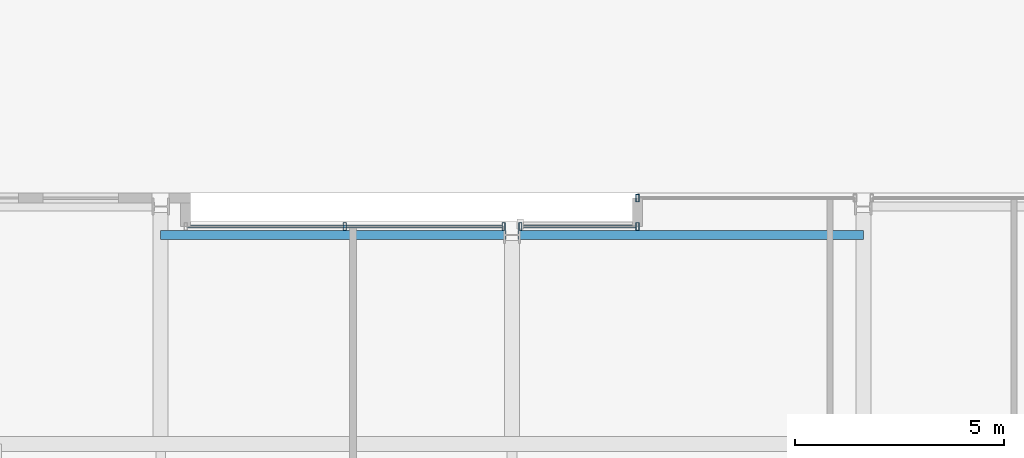
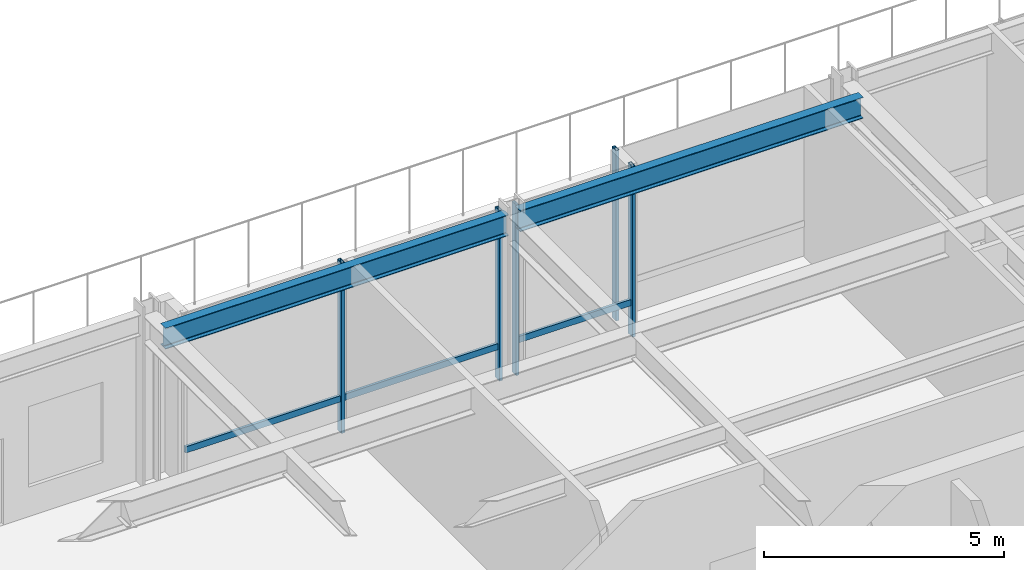
# One storey, part 22 of 32: 7 members, 2 beams, 3 elements without a shape of their own.
"""IFC4 building model written with IfcOpenShell, lengths in metres."""

from ifc_helpers import new_model, si_unit, direction, frame, origin, origin_2d, place, context, subcontext, project, spatial, hollow_rectangle, i_section, extrude, material, layer, layer_set, material_profile, profile_set, type_object, element, aggregate, save


model = new_model("IFC4")

# Units and contexts
model_context = context("Model", 3, precision=1e-05, world=origin(), true_north=direction((0.0, 1.0)))
body_context = subcontext(model_context, "Body", "Model", "MODEL_VIEW")
ifc_project = project(units=[si_unit("LENGTHUNIT", "METRE"), si_unit("AREAUNIT", "SQUARE_METRE"), si_unit("VOLUMEUNIT", "CUBIC_METRE"), si_unit("PLANEANGLEUNIT", "RADIAN"), si_unit("MASSUNIT", "GRAM", prefix="KILO")], contexts=[model_context])

# Site, building, storey
site_placement = place(None, origin())
site = spatial("IfcSite", under=ifc_project, at=site_placement, CompositionType="ELEMENT")
building_placement = place(site_placement, origin())
building = spatial("IfcBuilding", under=site, at=building_placement, Name="Drelvath Grand Hotel", CompositionType="ELEMENT")
storey_placement = place(building_placement, frame((0.0, 0.0, 145.800048828125)))
storey = spatial("IfcBuildingStorey", under=building, at=storey_placement, Name="L37", CompositionType="ELEMENT", Elevation=145.800048828125)

# Curtain wall, member
ifc_material_1 = material(Name="Brushed Pale-Silver Anodised Aluminium Frame", Category="aluminium")
ifc_layer = layer(ifc_material_1, 0.199951171875)
ifc_layer_set = layer_set([ifc_layer], Name="Brushed Pale-Silver Anodised Aluminium Frame")
curtain_wall_type = type_object("IfcCurtainWallType", Name="Stick Curtain Wall CW-04 Brushed Silver Upper-Mid", PredefinedType="NOTDEFINED", material=ifc_layer_set)
curtain_wall_1_placement = place(storey_placement, origin())
curtain_wall_1 = element("IfcCurtainWall", 1, at=curtain_wall_1_placement, inside=storey, type_object=curtain_wall_type, Name="L37 CW-04 Curtain Wall CW04-L37-NM1", PredefinedType="NOTDEFINED")
ifc_material_profile_1 = material_profile(ifc_material_1, hollow_rectangle(XDim=0.06494140625, YDim=0.159912109375, WallThickness=0.00390625, at=origin_2d()), Name="HSS160X65X4")
ifc_profile_set_1 = profile_set([ifc_material_profile_1], Name="Brushed Pale-Silver Anodised Aluminium Frame")
member_type_1 = type_object("IfcMemberType", Name="Curtain Wall Horizontal Transom CW-04 HSS160X65X4", PredefinedType="USERDEFINED", material=ifc_profile_set_1)
member_1_placement = place(storey_placement, frame((-7.760009765625, 48.39990234375, 0.849853515625), z_axis=(1.0, 0.0, 0.0), x_axis=(0.0, 1.0, 0.0)))
member_1 = element("IfcMember", 2, at=member_1_placement, type_object=member_type_1, Name="CW04-L37-NM1 Sill Transom", ObjectType="TRANSOM", PredefinedType="USERDEFINED", context=body_context, shape_type="SweptSolid", body=[
    extrude(hollow_rectangle(XDim=0.06494140625, YDim=0.159912109375, WallThickness=0.00390625, at=origin_2d()), origin(), (0.0, 0.0, 1.0), 7.52001953125),
])

curtain_wall_2_placement = place(storey_placement, origin())
curtain_wall_2 = element("IfcCurtainWall", 3, at=curtain_wall_2_placement, inside=storey, type_object=curtain_wall_type, Name="L37 CW-04 Curtain Wall CW04-L37-NM2", PredefinedType="NOTDEFINED")
member_2_placement = place(storey_placement, frame((0.239990234375, 48.39990234375, 0.849853515625), z_axis=(1.0, 0.0, 0.0), x_axis=(0.0, 1.0, 0.0)))
member_2 = element("IfcMember", 4, at=member_2_placement, type_object=member_type_1, Name="CW04-L37-NM2 Sill Transom", ObjectType="TRANSOM", PredefinedType="USERDEFINED", context=body_context, shape_type="SweptSolid", body=[
    extrude(hollow_rectangle(XDim=0.06494140625, YDim=0.159912109375, WallThickness=0.00390625, at=origin_2d()), origin(), (0.0, 0.0, 1.0), 2.719970703125),
])

# Member
ifc_material_profile_2 = material_profile(ifc_material_1, hollow_rectangle(XDim=0.074951171875, YDim=0.179931640625, WallThickness=0.0048828125, at=origin_2d()), Name="HSS180X75X5")
ifc_profile_set_2 = profile_set([ifc_material_profile_2], Name="Brushed Pale-Silver Anodised Aluminium Frame")
member_type_2 = type_object("IfcMemberType", Name="Curtain Wall Vertical Mullion CW-04 HSS180X75X5", PredefinedType="MULLION", material=ifc_profile_set_2)
member_3_placement = place(storey_placement, frame((-4.0, 48.39990234375, 0.0), z_axis=(0.0, 0.0, 1.0), x_axis=(1.0, 0.0, 0.0)))
member_3 = element("IfcMember", 5, at=member_3_placement, type_object=member_type_2, Name="CW04-L37-NM1 Mullion 2", PredefinedType="MULLION", context=body_context, shape_type="SweptSolid", body=[
    extrude(hollow_rectangle(XDim=0.074951171875, YDim=0.179931640625, WallThickness=0.0048828125, at=origin_2d()), origin(), (0.0, 0.0, 1.0), 4.33984375),
])

member_4_placement = place(storey_placement, frame((-0.2001953125, 48.39990234375, 0.0), z_axis=(0.0, 0.0, 1.0), x_axis=(1.0, 0.0, 0.0)))
member_4 = element("IfcMember", 6, at=member_4_placement, type_object=member_type_2, Name="CW04-L37-NM1 Mullion 3", PredefinedType="MULLION", context=body_context, shape_type="SweptSolid", body=[
    extrude(hollow_rectangle(XDim=0.074951171875, YDim=0.179931640625, WallThickness=0.0048828125, at=origin_2d()), origin(), (0.0, 0.0, 1.0), 4.33984375),
])

aggregate(curtain_wall_1, [member_3, member_4, member_1])

member_5_placement = place(storey_placement, frame((0.2001953125, 48.39990234375, 0.0), z_axis=(0.0, 0.0, 1.0), x_axis=(1.0, 0.0, 0.0)))
member_5 = element("IfcMember", 7, at=member_5_placement, type_object=member_type_2, Name="CW04-L37-NM2 Mullion 1", PredefinedType="MULLION", context=body_context, shape_type="SweptSolid", body=[
    extrude(hollow_rectangle(XDim=0.074951171875, YDim=0.179931640625, WallThickness=0.0048828125, at=origin_2d()), origin(), (0.0, 0.0, 1.0), 4.33984375),
])

member_6_placement = place(storey_placement, frame((3.0, 48.39990234375, 0.0), z_axis=(0.0, 0.0, 1.0), x_axis=(1.0, 0.0, 0.0)))
member_6 = element("IfcMember", 8, at=member_6_placement, type_object=member_type_2, Name="CW04-L37-NM2 Mullion 2", PredefinedType="MULLION", context=body_context, shape_type="SweptSolid", body=[
    extrude(hollow_rectangle(XDim=0.074951171875, YDim=0.179931640625, WallThickness=0.0048828125, at=origin_2d()), origin(), (0.0, 0.0, 1.0), 4.33984375),
])

aggregate(curtain_wall_2, [member_5, member_6, member_2])

# Curtain wall, member
curtain_wall_3_placement = place(storey_placement, origin())
curtain_wall_3 = element("IfcCurtainWall", 9, at=curtain_wall_3_placement, inside=storey, type_object=curtain_wall_type, Name="L37 CW-04 Curtain Wall CW04-L37-NE1", PredefinedType="NOTDEFINED")
member_7_placement = place(storey_placement, frame((3.0, 49.080078125, 0.0), z_axis=(0.0, 0.0, 1.0), x_axis=(1.0, 0.0, 0.0)))
member_7 = element("IfcMember", 10, at=member_7_placement, type_object=member_type_2, Name="CW04-L37-NE1 Mullion 1", PredefinedType="MULLION", context=body_context, shape_type="SweptSolid", body=[
    extrude(hollow_rectangle(XDim=0.074951171875, YDim=0.179931640625, WallThickness=0.0048828125, at=origin_2d()), origin(), (0.0, 0.0, 1.0), 4.33984375),
])
aggregate(curtain_wall_3, [member_7])

# Beams
ifc_material_2 = material(Name="Steel ASTM A992 Gr 50", Category="steel")
ifc_material_profile_3 = material_profile(ifc_material_2, i_section(OverallWidth=0.210205078125, OverallDepth=0.53662109375, WebThickness=0.010986328125, FlangeThickness=0.017333984375, FilletRadius=0.01806640625, at=origin_2d()), Name="W21X68")
ifc_profile_set_3 = profile_set([ifc_material_profile_3], Name="Steel ASTM A992 Gr 50")
beam_type = type_object("IfcBeamType", Name="Perimeter Spandrel Beam W21X68", PredefinedType="SPANDREL", material=ifc_profile_set_3)
for number, where, z_axis, x_axis, name in (
    (11, (-8.39990234375, 48.199951171875, 4.071533203125), (1.0, 0.0, 0.0), (0.0, 1.0, 0.0), "L37 Spandrel North Mid W"),
    (12, (0.139892578125, 48.199951171875, 4.071533203125), (1.0, 0.0, 0.0), (0.0, 1.0, 0.0), "L37 Spandrel North Mid E"),
):
    element("IfcBeam", number, at=place(storey_placement, frame(where, z_axis=z_axis, x_axis=x_axis)), inside=storey, type_object=beam_type, Name=name, PredefinedType="SPANDREL", context=body_context, shape_type="SweptSolid", body=[
        extrude(i_section(OverallWidth=0.210205078125, OverallDepth=0.53662109375, WebThickness=0.010986328125, FlangeThickness=0.017333984375, FilletRadius=0.01806640625, at=origin_2d()), origin(), (0.0, 0.0, 1.0), 8.260009765625),
    ])

save(model, "model.ifc")
